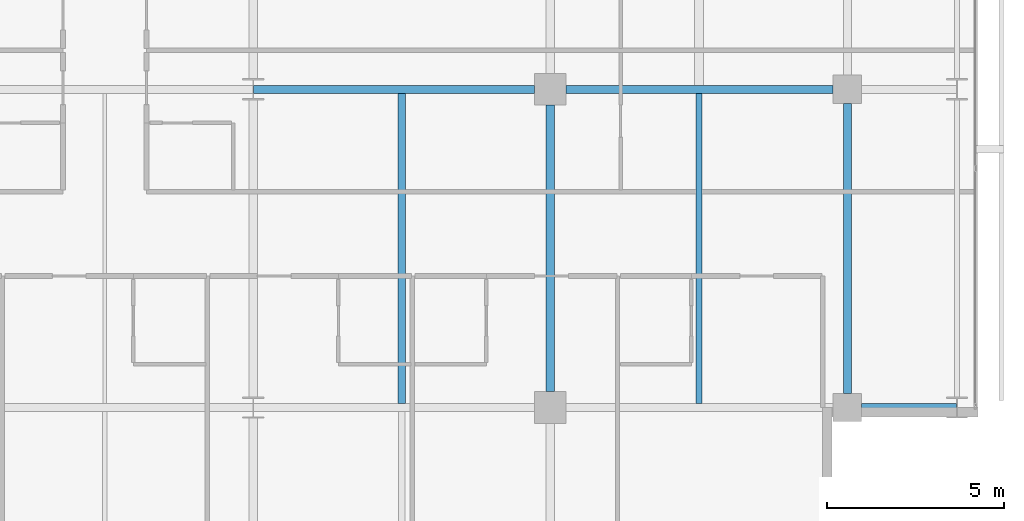
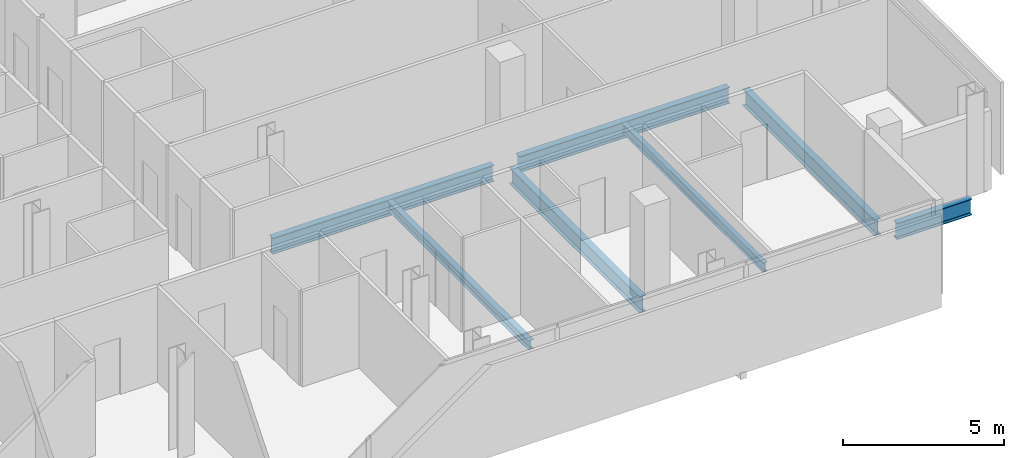
# One storey, part 14 of 34: 7 beams.
"""IFC4 building model written with IfcOpenShell, lengths in metres."""

from ifc_helpers import new_model, si_unit, direction, frame, origin, origin_2d, place, context, subcontext, project, spatial, i_section, extrude, material, material_profile, profile_set, type_object, element, save


model = new_model("IFC4")

# Units and contexts
model_context = context("Model", 3, precision=1e-05, world=origin(), true_north=direction((0.0, 1.0)))
body_context = subcontext(model_context, "Body", "Model", "MODEL_VIEW")
ifc_project = project(units=[si_unit("LENGTHUNIT", "METRE"), si_unit("AREAUNIT", "SQUARE_METRE"), si_unit("VOLUMEUNIT", "CUBIC_METRE"), si_unit("PLANEANGLEUNIT", "RADIAN"), si_unit("MASSUNIT", "GRAM", prefix="KILO")], contexts=[model_context])

# Site, building, storey
site_placement = place(None, origin())
site = spatial("IfcSite", under=ifc_project, at=site_placement, CompositionType="ELEMENT")
building_placement = place(site_placement, origin())
building = spatial("IfcBuilding", under=site, at=building_placement, Name="Maruvema Waterfront Hotel and Observation Tower", CompositionType="ELEMENT")
storey_placement = place(building_placement, frame((0.0, 0.0, 131.25)))
storey = spatial("IfcBuildingStorey", under=building, at=storey_placement, Name="L31", CompositionType="ELEMENT", Elevation=131.25)

# Beams
ifc_material_1 = material(Name="Steel ASTM A572 Grade 50", Category="steel")
ifc_material_profile_1 = material_profile(ifc_material_1, i_section(OverallWidth=0.22900390625, OverallDepth=0.612060546875, WebThickness=0.011962890625, FlangeThickness=0.01953125, FilletRadius=0.01806640625, at=origin_2d()), Name="W610x125.0")
ifc_profile_set_1 = profile_set([ifc_material_profile_1], Name="Steel ASTM A572 Grade 50")
beam_type_1 = type_object("IfcBeamType", Name="Primary Floor Girder W610x125.0", PredefinedType="BEAM", material=ifc_profile_set_1)
beam_1_placement = place(storey_placement, frame((59.199951171875, 9.0, -0.5458984375), z_axis=(1.0, 0.0, 0.0), x_axis=(0.0, 1.0, 0.0)))
element("IfcBeam", 1, at=beam_1_placement, inside=storey, type_object=beam_type_1, Name="L31 Floor Girder EW-10", PredefinedType="BEAM", context=body_context, shape_type="SweptSolid", body=[
    extrude(i_section(OverallWidth=0.22900390625, OverallDepth=0.612060546875, WebThickness=0.011962890625, FlangeThickness=0.01953125, FilletRadius=0.01806640625, at=origin_2d()), origin(), (0.0, 0.0, 1.0), 2.6875),
])
beam_2_placement = place(storey_placement, frame((42.012451171875, 18.0, -0.5458984375), z_axis=(1.0, 0.0, 0.0), x_axis=(0.0, 1.0, 0.0)))
element("IfcBeam", 2, at=beam_2_placement, inside=storey, type_object=beam_type_1, Name="L31 Floor Girder EW-15", PredefinedType="BEAM", context=body_context, shape_type="SweptSolid", body=[
    extrude(i_section(OverallWidth=0.22900390625, OverallDepth=0.612060546875, WebThickness=0.011962890625, FlangeThickness=0.01953125, FilletRadius=0.01806640625, at=origin_2d()), origin(), (0.0, 0.0, 1.0), 7.9375),
])
beam_3_placement = place(storey_placement, frame((50.85009765625, 18.0, -0.5458984375), z_axis=(1.0, 0.0, 0.0), x_axis=(0.0, 1.0, 0.0)))
element("IfcBeam", 3, at=beam_3_placement, inside=storey, type_object=beam_type_1, Name="L31 Floor Girder EW-16", PredefinedType="BEAM", context=body_context, shape_type="SweptSolid", body=[
    extrude(i_section(OverallWidth=0.22900390625, OverallDepth=0.612060546875, WebThickness=0.011962890625, FlangeThickness=0.01953125, FilletRadius=0.01806640625, at=origin_2d()), origin(), (0.0, 0.0, 1.0), 7.5498046875),
])
beam_4_placement = place(storey_placement, frame((50.39990234375, 9.449951171875, -0.5458984375), z_axis=(0.0, 1.0, 0.0), x_axis=(-1.0, 0.0, 0.0)))
element("IfcBeam", 4, at=beam_4_placement, inside=storey, type_object=beam_type_1, Name="L31 Floor Girder NS-21", PredefinedType="BEAM", context=body_context, shape_type="SweptSolid", body=[
    extrude(i_section(OverallWidth=0.22900390625, OverallDepth=0.612060546875, WebThickness=0.011962890625, FlangeThickness=0.01953125, FilletRadius=0.01806640625, at=origin_2d()), origin(), (0.0, 0.0, 1.0), 8.10009765625),
])
beam_5_placement = place(storey_placement, frame((58.800048828125, 9.39990234375, -0.5458984375), z_axis=(0.0, 1.0, 0.0), x_axis=(-1.0, 0.0, 0.0)))
element("IfcBeam", 5, at=beam_5_placement, inside=storey, type_object=beam_type_1, Name="L31 Floor Girder NS-25", PredefinedType="BEAM", context=body_context, shape_type="SweptSolid", body=[
    extrude(i_section(OverallWidth=0.22900390625, OverallDepth=0.612060546875, WebThickness=0.011962890625, FlangeThickness=0.01953125, FilletRadius=0.01806640625, at=origin_2d()), origin(), (0.0, 0.0, 1.0), 8.2001953125),
])
ifc_material_2 = material(Name="Steel ASTM A572 Grade 50", Category="steel")
ifc_material_profile_2 = material_profile(ifc_material_2, i_section(OverallWidth=0.1708984375, OverallDepth=0.35498046875, WebThickness=0.007080078125, FlangeThickness=0.01171875, FilletRadius=0.014892578125, at=origin_2d()), Name="W360x51.0")
ifc_profile_set_2 = profile_set([ifc_material_profile_2], Name="Steel ASTM A572 Grade 50")
beam_type_2 = type_object("IfcBeamType", Name="Secondary Floor Joist W360x51.0", PredefinedType="JOIST", material=ifc_profile_set_2)
beam_6_placement = place(storey_placement, frame((54.60009765625, 9.114501953125, -0.41748046875), z_axis=(0.0, 1.0, 0.0), x_axis=(-1.0, 0.0, 0.0)))
element("IfcBeam", 6, at=beam_6_placement, inside=storey, type_object=beam_type_2, Name="L31 Secondary Floor Joist JS-11", PredefinedType="JOIST", context=body_context, shape_type="SweptSolid", body=[
    extrude(i_section(OverallWidth=0.1708984375, OverallDepth=0.35498046875, WebThickness=0.007080078125, FlangeThickness=0.01171875, FilletRadius=0.014892578125, at=origin_2d()), origin(), (0.0, 0.0, 1.0), 8.77099609375),
])
ifc_material_3 = material(Name="Steel ASTM A572 Grade 50", Category="steel")
ifc_material_profile_3 = material_profile(ifc_material_3, i_section(OverallWidth=0.202880859375, OverallDepth=0.346923828125, WebThickness=0.0078125, FlangeThickness=0.013427734375, FilletRadius=0.014892578125, at=origin_2d()), Name="W360x64.0")
ifc_profile_set_3 = profile_set([ifc_material_profile_3], Name="Steel ASTM A572 Grade 50")
beam_type_3 = type_object("IfcBeamType", Name="Secondary Floor Joist W360x64.0", PredefinedType="JOIST", material=ifc_profile_set_3)
beam_7_placement = place(storey_placement, frame((46.199951171875, 9.114501953125, -0.41357421875), z_axis=(0.0, 1.0, 0.0), x_axis=(-1.0, 0.0, 0.0)))
element("IfcBeam", 7, at=beam_7_placement, inside=storey, type_object=beam_type_3, Name="L31 Secondary Floor Joist JS-10", PredefinedType="JOIST", context=body_context, shape_type="SweptSolid", body=[
    extrude(i_section(OverallWidth=0.202880859375, OverallDepth=0.346923828125, WebThickness=0.0078125, FlangeThickness=0.013427734375, FilletRadius=0.014892578125, at=origin_2d()), origin(), (0.0, 0.0, 1.0), 8.77099609375),
])

save(model, "model.ifc")
